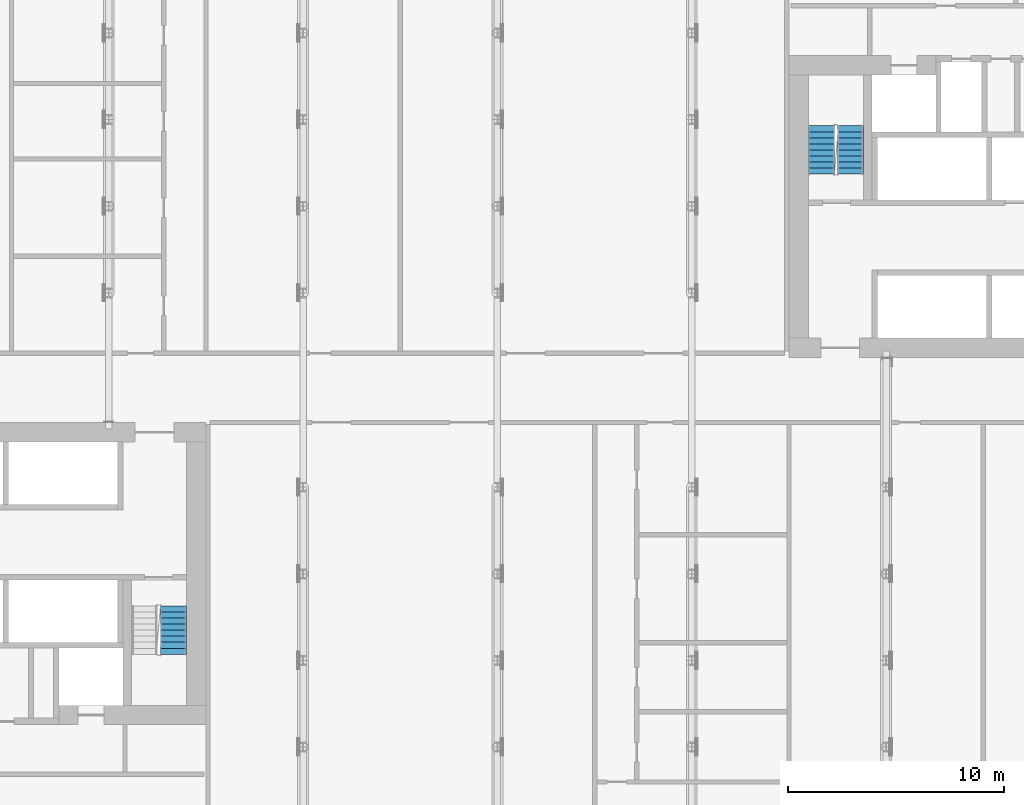
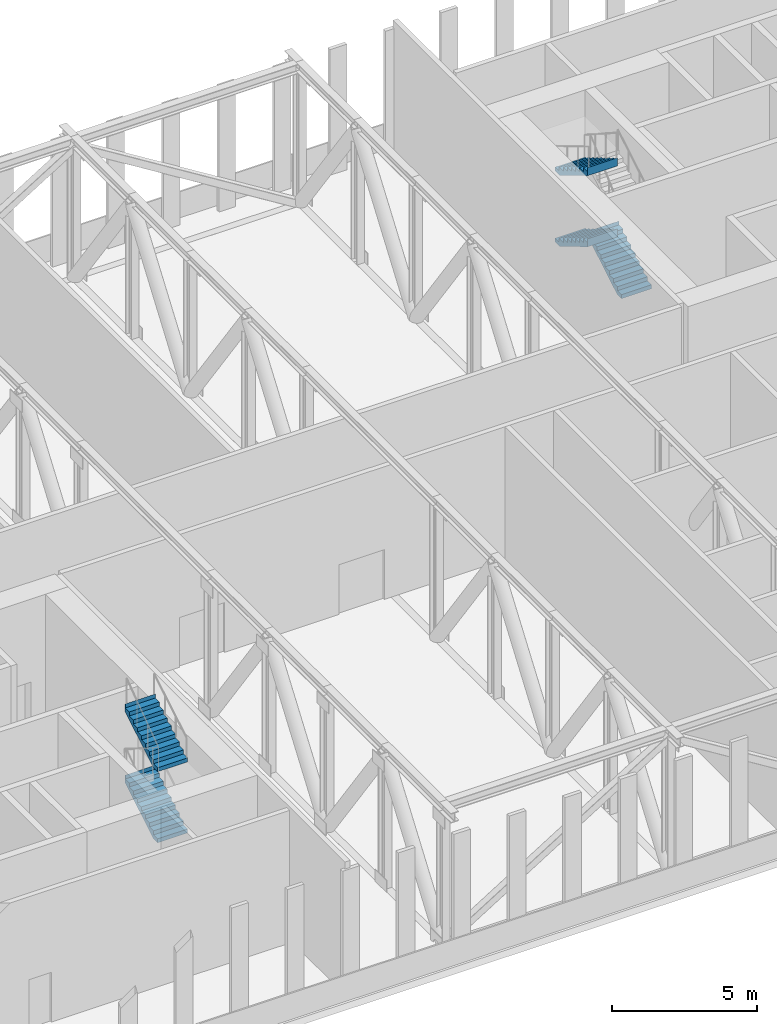
# One storey, part 21 of 26: 5 stair flights, 2 elements without a shape of their own.
"""IFC4 building model written with IfcOpenShell, lengths in metres."""

from ifc_helpers import new_model, si_unit, direction, frame, origin, place, context, subcontext, project, spatial, faceted_brep, material, type_object, element, aggregate, save


model = new_model("IFC4")

# Units and contexts
model_context = context("Model", 3, precision=1e-05, world=origin(), true_north=direction((0.0, 1.0)))
body_context = subcontext(model_context, "Body", "Model", "MODEL_VIEW")
ifc_project = project(units=[si_unit("LENGTHUNIT", "METRE"), si_unit("AREAUNIT", "SQUARE_METRE"), si_unit("VOLUMEUNIT", "CUBIC_METRE"), si_unit("PLANEANGLEUNIT", "RADIAN"), si_unit("MASSUNIT", "GRAM", prefix="KILO")], contexts=[model_context])

# Site, building, storey
site_placement = place(None, origin())
site = spatial("IfcSite", under=ifc_project, at=site_placement, CompositionType="ELEMENT")
building_placement = place(site_placement, origin())
building = spatial("IfcBuilding", under=site, at=building_placement, Name="Kajstack Hotel Tower", CompositionType="ELEMENT")
storey_placement = place(building_placement, frame((0.0, 0.0, 47.0)))
storey = spatial("IfcBuildingStorey", under=building, at=storey_placement, Name="L07", CompositionType="ELEMENT", Elevation=47.0)

# Stair, stair flights
ifc_material = material(Name="Concrete C40/50", Category="concrete")
stair_type = type_object("IfcStairType", Name="Exit stair 1200", PredefinedType="HALF_TURN_STAIR", material=ifc_material)
stair_1_placement = place(storey_placement, origin())
stair_1 = element("IfcStair", 1, at=stair_1_placement, inside=storey, type_object=stair_type, Name="L07 stair W2", PredefinedType="HALF_TURN_STAIR")
stair_flight_type = type_object("IfcStairFlightType", Name="Exit stair flight 1200", PredefinedType="STRAIGHT", material=ifc_material)
stair_flight_1_placement = place(storey_placement, frame((-15.0, -12.239990234375, 1.5), z_axis=(0.0, 0.0, 1.0), x_axis=(0.0, 1.0, 0.0)))
stair_flight_1 = element("IfcStairFlight", 2, at=stair_flight_1_placement, type_object=stair_flight_type, Name="W2 flight 2", NumberOfRisers=9, NumberOfTreads=8, PredefinedType="STRAIGHT", RiserHeight=0.166666667, TreadLength=0.28, context=body_context, shape_type="Brep", body=[
    faceted_brep([(0.29345703125, -0.60009765625, 0.0), (2.240478515625, -0.60009765625, 1.158935546875), (2.240478515625, -0.60009765625, 1.5), (2.239990234375, -0.60009765625, 1.5), (2.239990234375, -0.60009765625, 1.333251953125), (1.9599609375, -0.60009765625, 1.333251953125), (1.9599609375, -0.60009765625, 1.166748046875), (1.679931640625, -0.60009765625, 1.166748046875), (1.679931640625, -0.60009765625, 1.0), (1.39990234375, -0.60009765625, 1.0), (1.39990234375, -0.60009765625, 0.833251953125), (1.1201171875, -0.60009765625, 0.833251953125), (1.1201171875, -0.60009765625, 0.666748046875), (0.840087890625, -0.60009765625, 0.666748046875), (0.840087890625, -0.60009765625, 0.5), (0.56005859375, -0.60009765625, 0.5), (0.56005859375, -0.60009765625, 0.333251953125), (0.280029296875, -0.60009765625, 0.333251953125), (0.280029296875, -0.60009765625, 0.166748046875), (-0.00048828125, -0.60009765625, 0.166748046875), (-0.00048828125, -0.60009765625, 0.0), (-0.00048828125, 0.60009765625, 0.0), (-0.00048828125, 0.60009765625, 0.166748046875), (0.280029296875, 0.60009765625, 0.166748046875), (0.280029296875, 0.60009765625, 0.333251953125), (0.56005859375, 0.60009765625, 0.333251953125), (0.56005859375, 0.60009765625, 0.5), (0.840087890625, 0.60009765625, 0.5), (0.840087890625, 0.60009765625, 0.666748046875), (1.1201171875, 0.60009765625, 0.666748046875), (1.1201171875, 0.60009765625, 0.833251953125), (1.39990234375, 0.60009765625, 0.833251953125), (1.39990234375, 0.60009765625, 1.0), (1.679931640625, 0.60009765625, 1.0), (1.679931640625, 0.60009765625, 1.166748046875), (1.9599609375, 0.60009765625, 1.166748046875), (1.9599609375, 0.60009765625, 1.333251953125), (2.239990234375, 0.60009765625, 1.333251953125), (2.239990234375, 0.60009765625, 1.5), (2.240478515625, 0.60009765625, 1.5), (2.240478515625, 0.60009765625, 1.158935546875), (0.29345703125, 0.60009765625, 0.0), (-0.00048828125, -0.300048828125, 0.166748046875), (-0.00048828125, 0.0, 0.166748046875), (-0.00048828125, 0.300048828125, 0.166748046875), (-0.00048828125, 0.300048828125, 0.0), (-0.00048828125, 0.0, 0.0), (-0.00048828125, -0.300048828125, 0.0), (0.280029296875, -0.300048828125, 0.166748046875), (0.280029296875, 0.0, 0.166748046875), (0.280029296875, 0.300048828125, 0.166748046875), (0.280029296875, -0.300048828125, 0.333251953125), (0.280029296875, 0.0, 0.333251953125), (0.280029296875, 0.300048828125, 0.333251953125), (0.56005859375, -0.300048828125, 0.333251953125), (0.56005859375, 0.0, 0.333251953125), (0.56005859375, 0.300048828125, 0.333251953125), (0.56005859375, -0.300048828125, 0.5), (0.56005859375, 0.0, 0.5), (0.56005859375, 0.300048828125, 0.5), (0.840087890625, -0.300048828125, 0.5), (0.840087890625, 0.0, 0.5), (0.840087890625, 0.300048828125, 0.5), (0.840087890625, -0.300048828125, 0.666748046875), (0.840087890625, 0.0, 0.666748046875), (0.840087890625, 0.300048828125, 0.666748046875), (1.1201171875, -0.300048828125, 0.666748046875), (1.1201171875, 0.0, 0.666748046875), (1.1201171875, 0.300048828125, 0.666748046875), (1.1201171875, -0.300048828125, 0.833251953125), (1.1201171875, 0.0, 0.833251953125), (1.1201171875, 0.300048828125, 0.833251953125), (1.39990234375, -0.300048828125, 0.833251953125), (1.39990234375, 0.0, 0.833251953125), (1.39990234375, 0.300048828125, 0.833251953125), (1.39990234375, -0.300048828125, 1.0), (1.39990234375, 0.0, 1.0), (1.39990234375, 0.300048828125, 1.0), (1.679931640625, -0.300048828125, 1.0), (1.679931640625, 0.0, 1.0), (1.679931640625, 0.300048828125, 1.0), (1.679931640625, -0.300048828125, 1.166748046875), (1.679931640625, 0.0, 1.166748046875), (1.679931640625, 0.300048828125, 1.166748046875), (1.9599609375, -0.300048828125, 1.166748046875), (1.9599609375, 0.0, 1.166748046875), (1.9599609375, 0.300048828125, 1.166748046875), (1.9599609375, -0.300048828125, 1.333251953125), (1.9599609375, 0.0, 1.333251953125), (1.9599609375, 0.300048828125, 1.333251953125), (2.239990234375, -0.300048828125, 1.333251953125), (2.239990234375, 0.0, 1.333251953125), (2.239990234375, 0.300048828125, 1.333251953125), (2.239990234375, -0.300048828125, 1.5), (2.239990234375, 0.0, 1.5), (2.239990234375, 0.300048828125, 1.5), (2.240478515625, -0.300048828125, 1.5), (2.240478515625, 0.0, 1.5), (2.240478515625, 0.300048828125, 1.5), (2.240478515625, -0.300048828125, 1.158935546875), (2.240478515625, 0.0, 1.158935546875), (2.240478515625, 0.300048828125, 1.158935546875), (0.29345703125, -0.300048828125, 0.0), (0.29345703125, 0.0, 0.0), (0.29345703125, 0.300048828125, 0.0)], [[[0, 1, 2, 3, 4, 5, 6, 7, 8, 9, 10, 11, 12, 13, 14, 15, 16, 17, 18, 19, 20]], [[21, 22, 23, 24, 25, 26, 27, 28, 29, 30, 31, 32, 33, 34, 35, 36, 37, 38, 39, 40, 41]], [[19, 42, 43, 44, 22, 21, 45, 46, 47, 20]], [[18, 48, 49, 50, 23, 22, 44, 43, 42, 19]], [[17, 51, 52, 53, 24, 23, 50, 49, 48, 18]], [[16, 54, 55, 56, 25, 24, 53, 52, 51, 17]], [[15, 57, 58, 59, 26, 25, 56, 55, 54, 16]], [[14, 60, 61, 62, 27, 26, 59, 58, 57, 15]], [[13, 63, 64, 65, 28, 27, 62, 61, 60, 14]], [[12, 66, 67, 68, 29, 28, 65, 64, 63, 13]], [[11, 69, 70, 71, 30, 29, 68, 67, 66, 12]], [[10, 72, 73, 74, 31, 30, 71, 70, 69, 11]], [[9, 75, 76, 77, 32, 31, 74, 73, 72, 10]], [[8, 78, 79, 80, 33, 32, 77, 76, 75, 9]], [[7, 81, 82, 83, 34, 33, 80, 79, 78, 8]], [[6, 84, 85, 86, 35, 34, 83, 82, 81, 7]], [[5, 87, 88, 89, 36, 35, 86, 85, 84, 6]], [[4, 90, 91, 92, 37, 36, 89, 88, 87, 5]], [[3, 93, 94, 95, 38, 37, 92, 91, 90, 4]], [[2, 96, 97, 98, 39, 38, 95, 94, 93, 3]], [[1, 99, 100, 101, 40, 39, 98, 97, 96, 2]], [[0, 102, 103, 104, 41, 40, 101, 100, 99, 1]], [[20, 47, 46, 45, 21, 41, 104, 103, 102, 0]]]),
])
stair_flight_2_placement = place(storey_placement, frame((-15.0, -12.239990234375, 4.5), z_axis=(0.0, 0.0, 1.0), x_axis=(0.0, 1.0, 0.0)))
stair_flight_2 = element("IfcStairFlight", 3, at=stair_flight_2_placement, type_object=stair_flight_type, Name="W2 flight 4", NumberOfRisers=9, NumberOfTreads=8, PredefinedType="STRAIGHT", RiserHeight=0.166666667, TreadLength=0.28, context=body_context, shape_type="Brep", body=[
    faceted_brep([(0.29345703125, -0.60009765625, 0.0), (2.240478515625, -0.60009765625, 1.158935546875), (2.240478515625, -0.60009765625, 1.5), (2.239990234375, -0.60009765625, 1.5), (2.239990234375, -0.60009765625, 1.333251953125), (1.9599609375, -0.60009765625, 1.333251953125), (1.9599609375, -0.60009765625, 1.166748046875), (1.679931640625, -0.60009765625, 1.166748046875), (1.679931640625, -0.60009765625, 1.0), (1.39990234375, -0.60009765625, 1.0), (1.39990234375, -0.60009765625, 0.833251953125), (1.1201171875, -0.60009765625, 0.833251953125), (1.1201171875, -0.60009765625, 0.666748046875), (0.840087890625, -0.60009765625, 0.666748046875), (0.840087890625, -0.60009765625, 0.5), (0.56005859375, -0.60009765625, 0.5), (0.56005859375, -0.60009765625, 0.333251953125), (0.280029296875, -0.60009765625, 0.333251953125), (0.280029296875, -0.60009765625, 0.166748046875), (-0.00048828125, -0.60009765625, 0.166748046875), (-0.00048828125, -0.60009765625, 0.0), (-0.00048828125, 0.60009765625, 0.0), (-0.00048828125, 0.60009765625, 0.166748046875), (0.280029296875, 0.60009765625, 0.166748046875), (0.280029296875, 0.60009765625, 0.333251953125), (0.56005859375, 0.60009765625, 0.333251953125), (0.56005859375, 0.60009765625, 0.5), (0.840087890625, 0.60009765625, 0.5), (0.840087890625, 0.60009765625, 0.666748046875), (1.1201171875, 0.60009765625, 0.666748046875), (1.1201171875, 0.60009765625, 0.833251953125), (1.39990234375, 0.60009765625, 0.833251953125), (1.39990234375, 0.60009765625, 1.0), (1.679931640625, 0.60009765625, 1.0), (1.679931640625, 0.60009765625, 1.166748046875), (1.9599609375, 0.60009765625, 1.166748046875), (1.9599609375, 0.60009765625, 1.333251953125), (2.239990234375, 0.60009765625, 1.333251953125), (2.239990234375, 0.60009765625, 1.5), (2.240478515625, 0.60009765625, 1.5), (2.240478515625, 0.60009765625, 1.158935546875), (0.29345703125, 0.60009765625, 0.0), (-0.00048828125, -0.300048828125, 0.166748046875), (-0.00048828125, 0.0, 0.166748046875), (-0.00048828125, 0.300048828125, 0.166748046875), (-0.00048828125, 0.300048828125, 0.0), (-0.00048828125, 0.0, 0.0), (-0.00048828125, -0.300048828125, 0.0), (0.280029296875, -0.300048828125, 0.166748046875), (0.280029296875, 0.0, 0.166748046875), (0.280029296875, 0.300048828125, 0.166748046875), (0.280029296875, -0.300048828125, 0.333251953125), (0.280029296875, 0.0, 0.333251953125), (0.280029296875, 0.300048828125, 0.333251953125), (0.56005859375, -0.300048828125, 0.333251953125), (0.56005859375, 0.0, 0.333251953125), (0.56005859375, 0.300048828125, 0.333251953125), (0.56005859375, -0.300048828125, 0.5), (0.56005859375, 0.0, 0.5), (0.56005859375, 0.300048828125, 0.5), (0.840087890625, -0.300048828125, 0.5), (0.840087890625, 0.0, 0.5), (0.840087890625, 0.300048828125, 0.5), (0.840087890625, -0.300048828125, 0.666748046875), (0.840087890625, 0.0, 0.666748046875), (0.840087890625, 0.300048828125, 0.666748046875), (1.1201171875, -0.300048828125, 0.666748046875), (1.1201171875, 0.0, 0.666748046875), (1.1201171875, 0.300048828125, 0.666748046875), (1.1201171875, -0.300048828125, 0.833251953125), (1.1201171875, 0.0, 0.833251953125), (1.1201171875, 0.300048828125, 0.833251953125), (1.39990234375, -0.300048828125, 0.833251953125), (1.39990234375, 0.0, 0.833251953125), (1.39990234375, 0.300048828125, 0.833251953125), (1.39990234375, -0.300048828125, 1.0), (1.39990234375, 0.0, 1.0), (1.39990234375, 0.300048828125, 1.0), (1.679931640625, -0.300048828125, 1.0), (1.679931640625, 0.0, 1.0), (1.679931640625, 0.300048828125, 1.0), (1.679931640625, -0.300048828125, 1.166748046875), (1.679931640625, 0.0, 1.166748046875), (1.679931640625, 0.300048828125, 1.166748046875), (1.9599609375, -0.300048828125, 1.166748046875), (1.9599609375, 0.0, 1.166748046875), (1.9599609375, 0.300048828125, 1.166748046875), (1.9599609375, -0.300048828125, 1.333251953125), (1.9599609375, 0.0, 1.333251953125), (1.9599609375, 0.300048828125, 1.333251953125), (2.239990234375, -0.300048828125, 1.333251953125), (2.239990234375, 0.0, 1.333251953125), (2.239990234375, 0.300048828125, 1.333251953125), (2.239990234375, -0.300048828125, 1.5), (2.239990234375, 0.0, 1.5), (2.239990234375, 0.300048828125, 1.5), (2.240478515625, -0.300048828125, 1.5), (2.240478515625, 0.0, 1.5), (2.240478515625, 0.300048828125, 1.5), (2.240478515625, -0.300048828125, 1.158935546875), (2.240478515625, 0.0, 1.158935546875), (2.240478515625, 0.300048828125, 1.158935546875), (0.29345703125, -0.300048828125, 0.0), (0.29345703125, 0.0, 0.0), (0.29345703125, 0.300048828125, 0.0)], [[[0, 1, 2, 3, 4, 5, 6, 7, 8, 9, 10, 11, 12, 13, 14, 15, 16, 17, 18, 19, 20]], [[21, 22, 23, 24, 25, 26, 27, 28, 29, 30, 31, 32, 33, 34, 35, 36, 37, 38, 39, 40, 41]], [[19, 42, 43, 44, 22, 21, 45, 46, 47, 20]], [[18, 48, 49, 50, 23, 22, 44, 43, 42, 19]], [[17, 51, 52, 53, 24, 23, 50, 49, 48, 18]], [[16, 54, 55, 56, 25, 24, 53, 52, 51, 17]], [[15, 57, 58, 59, 26, 25, 56, 55, 54, 16]], [[14, 60, 61, 62, 27, 26, 59, 58, 57, 15]], [[13, 63, 64, 65, 28, 27, 62, 61, 60, 14]], [[12, 66, 67, 68, 29, 28, 65, 64, 63, 13]], [[11, 69, 70, 71, 30, 29, 68, 67, 66, 12]], [[10, 72, 73, 74, 31, 30, 71, 70, 69, 11]], [[9, 75, 76, 77, 32, 31, 74, 73, 72, 10]], [[8, 78, 79, 80, 33, 32, 77, 76, 75, 9]], [[7, 81, 82, 83, 34, 33, 80, 79, 78, 8]], [[6, 84, 85, 86, 35, 34, 83, 82, 81, 7]], [[5, 87, 88, 89, 36, 35, 86, 85, 84, 6]], [[4, 90, 91, 92, 37, 36, 89, 88, 87, 5]], [[3, 93, 94, 95, 38, 37, 92, 91, 90, 4]], [[2, 96, 97, 98, 39, 38, 95, 94, 93, 3]], [[1, 99, 100, 101, 40, 39, 98, 97, 96, 2]], [[0, 102, 103, 104, 41, 40, 101, 100, 99, 1]], [[20, 47, 46, 45, 21, 41, 104, 103, 102, 0]]]),
])
aggregate(stair_1, [stair_flight_1, stair_flight_2])

stair_2_placement = place(storey_placement, origin())
stair_2 = element("IfcStair", 4, at=stair_2_placement, inside=storey, type_object=stair_type, Name="L07 stair E2", PredefinedType="HALF_TURN_STAIR")
stair_flight_3_placement = place(storey_placement, frame((16.35009765625, 10.0, 0.0), z_axis=(0.0, 0.0, 1.0), x_axis=(0.0, 1.0, 0.0)))
stair_flight_3 = element("IfcStairFlight", 5, at=stair_flight_3_placement, type_object=stair_flight_type, Name="E2 flight 1", NumberOfRisers=9, NumberOfTreads=8, PredefinedType="STRAIGHT", RiserHeight=0.166666667, TreadLength=0.28, context=body_context, shape_type="Brep", body=[
    faceted_brep([(0.29345703125, -0.60009765625, 0.0), (2.240478515625, -0.60009765625, 1.158935546875), (2.240478515625, -0.60009765625, 1.5), (2.239990234375, -0.60009765625, 1.5), (2.239990234375, -0.60009765625, 1.333251953125), (1.9599609375, -0.60009765625, 1.333251953125), (1.9599609375, -0.60009765625, 1.166748046875), (1.679931640625, -0.60009765625, 1.166748046875), (1.679931640625, -0.60009765625, 1.0), (1.39990234375, -0.60009765625, 1.0), (1.39990234375, -0.60009765625, 0.833251953125), (1.1201171875, -0.60009765625, 0.833251953125), (1.1201171875, -0.60009765625, 0.666748046875), (0.840087890625, -0.60009765625, 0.666748046875), (0.840087890625, -0.60009765625, 0.5), (0.56005859375, -0.60009765625, 0.5), (0.56005859375, -0.60009765625, 0.333251953125), (0.280029296875, -0.60009765625, 0.333251953125), (0.280029296875, -0.60009765625, 0.166748046875), (-0.00048828125, -0.60009765625, 0.166748046875), (-0.00048828125, -0.60009765625, 0.0), (-0.00048828125, 0.60009765625, 0.0), (-0.00048828125, 0.60009765625, 0.166748046875), (0.280029296875, 0.60009765625, 0.166748046875), (0.280029296875, 0.60009765625, 0.333251953125), (0.56005859375, 0.60009765625, 0.333251953125), (0.56005859375, 0.60009765625, 0.5), (0.840087890625, 0.60009765625, 0.5), (0.840087890625, 0.60009765625, 0.666748046875), (1.1201171875, 0.60009765625, 0.666748046875), (1.1201171875, 0.60009765625, 0.833251953125), (1.39990234375, 0.60009765625, 0.833251953125), (1.39990234375, 0.60009765625, 1.0), (1.679931640625, 0.60009765625, 1.0), (1.679931640625, 0.60009765625, 1.166748046875), (1.9599609375, 0.60009765625, 1.166748046875), (1.9599609375, 0.60009765625, 1.333251953125), (2.239990234375, 0.60009765625, 1.333251953125), (2.239990234375, 0.60009765625, 1.5), (2.240478515625, 0.60009765625, 1.5), (2.240478515625, 0.60009765625, 1.158935546875), (0.29345703125, 0.60009765625, 0.0), (-0.00048828125, -0.300048828125, 0.166748046875), (-0.00048828125, 0.0, 0.166748046875), (-0.00048828125, 0.300048828125, 0.166748046875), (-0.00048828125, 0.300048828125, 0.0), (-0.00048828125, 0.0, 0.0), (-0.00048828125, -0.300048828125, 0.0), (0.280029296875, -0.300048828125, 0.166748046875), (0.280029296875, 0.0, 0.166748046875), (0.280029296875, 0.300048828125, 0.166748046875), (0.280029296875, -0.300048828125, 0.333251953125), (0.280029296875, 0.0, 0.333251953125), (0.280029296875, 0.300048828125, 0.333251953125), (0.56005859375, -0.300048828125, 0.333251953125), (0.56005859375, 0.0, 0.333251953125), (0.56005859375, 0.300048828125, 0.333251953125), (0.56005859375, -0.300048828125, 0.5), (0.56005859375, 0.0, 0.5), (0.56005859375, 0.300048828125, 0.5), (0.840087890625, -0.300048828125, 0.5), (0.840087890625, 0.0, 0.5), (0.840087890625, 0.300048828125, 0.5), (0.840087890625, -0.300048828125, 0.666748046875), (0.840087890625, 0.0, 0.666748046875), (0.840087890625, 0.300048828125, 0.666748046875), (1.1201171875, -0.300048828125, 0.666748046875), (1.1201171875, 0.0, 0.666748046875), (1.1201171875, 0.300048828125, 0.666748046875), (1.1201171875, -0.300048828125, 0.833251953125), (1.1201171875, 0.0, 0.833251953125), (1.1201171875, 0.300048828125, 0.833251953125), (1.39990234375, -0.300048828125, 0.833251953125), (1.39990234375, 0.0, 0.833251953125), (1.39990234375, 0.300048828125, 0.833251953125), (1.39990234375, -0.300048828125, 1.0), (1.39990234375, 0.0, 1.0), (1.39990234375, 0.300048828125, 1.0), (1.679931640625, -0.300048828125, 1.0), (1.679931640625, 0.0, 1.0), (1.679931640625, 0.300048828125, 1.0), (1.679931640625, -0.300048828125, 1.166748046875), (1.679931640625, 0.0, 1.166748046875), (1.679931640625, 0.300048828125, 1.166748046875), (1.9599609375, -0.300048828125, 1.166748046875), (1.9599609375, 0.0, 1.166748046875), (1.9599609375, 0.300048828125, 1.166748046875), (1.9599609375, -0.300048828125, 1.333251953125), (1.9599609375, 0.0, 1.333251953125), (1.9599609375, 0.300048828125, 1.333251953125), (2.239990234375, -0.300048828125, 1.333251953125), (2.239990234375, 0.0, 1.333251953125), (2.239990234375, 0.300048828125, 1.333251953125), (2.239990234375, -0.300048828125, 1.5), (2.239990234375, 0.0, 1.5), (2.239990234375, 0.300048828125, 1.5), (2.240478515625, -0.300048828125, 1.5), (2.240478515625, 0.0, 1.5), (2.240478515625, 0.300048828125, 1.5), (2.240478515625, -0.300048828125, 1.158935546875), (2.240478515625, 0.0, 1.158935546875), (2.240478515625, 0.300048828125, 1.158935546875), (0.29345703125, -0.300048828125, 0.0), (0.29345703125, 0.0, 0.0), (0.29345703125, 0.300048828125, 0.0)], [[[0, 1, 2, 3, 4, 5, 6, 7, 8, 9, 10, 11, 12, 13, 14, 15, 16, 17, 18, 19, 20]], [[21, 22, 23, 24, 25, 26, 27, 28, 29, 30, 31, 32, 33, 34, 35, 36, 37, 38, 39, 40, 41]], [[19, 42, 43, 44, 22, 21, 45, 46, 47, 20]], [[18, 48, 49, 50, 23, 22, 44, 43, 42, 19]], [[17, 51, 52, 53, 24, 23, 50, 49, 48, 18]], [[16, 54, 55, 56, 25, 24, 53, 52, 51, 17]], [[15, 57, 58, 59, 26, 25, 56, 55, 54, 16]], [[14, 60, 61, 62, 27, 26, 59, 58, 57, 15]], [[13, 63, 64, 65, 28, 27, 62, 61, 60, 14]], [[12, 66, 67, 68, 29, 28, 65, 64, 63, 13]], [[11, 69, 70, 71, 30, 29, 68, 67, 66, 12]], [[10, 72, 73, 74, 31, 30, 71, 70, 69, 11]], [[9, 75, 76, 77, 32, 31, 74, 73, 72, 10]], [[8, 78, 79, 80, 33, 32, 77, 76, 75, 9]], [[7, 81, 82, 83, 34, 33, 80, 79, 78, 8]], [[6, 84, 85, 86, 35, 34, 83, 82, 81, 7]], [[5, 87, 88, 89, 36, 35, 86, 85, 84, 6]], [[4, 90, 91, 92, 37, 36, 89, 88, 87, 5]], [[3, 93, 94, 95, 38, 37, 92, 91, 90, 4]], [[2, 96, 97, 98, 39, 38, 95, 94, 93, 3]], [[1, 99, 100, 101, 40, 39, 98, 97, 96, 2]], [[0, 102, 103, 104, 41, 40, 101, 100, 99, 1]], [[20, 47, 46, 45, 21, 41, 104, 103, 102, 0]]]),
])
stair_flight_4_placement = place(storey_placement, frame((15.0, 12.239990234375, 1.5), z_axis=(0.0, 0.0, 1.0), x_axis=(0.0, -1.0, 0.0)))
stair_flight_4 = element("IfcStairFlight", 6, at=stair_flight_4_placement, type_object=stair_flight_type, Name="E2 flight 2", NumberOfRisers=9, NumberOfTreads=8, PredefinedType="STRAIGHT", RiserHeight=0.166666667, TreadLength=0.28, context=body_context, shape_type="Brep", body=[
    faceted_brep([(0.29345703125, -0.60009765625, 0.0), (2.240478515625, -0.60009765625, 1.158935546875), (2.240478515625, -0.60009765625, 1.5), (2.239990234375, -0.60009765625, 1.5), (2.239990234375, -0.60009765625, 1.333251953125), (1.9599609375, -0.60009765625, 1.333251953125), (1.9599609375, -0.60009765625, 1.166748046875), (1.679931640625, -0.60009765625, 1.166748046875), (1.679931640625, -0.60009765625, 1.0), (1.39990234375, -0.60009765625, 1.0), (1.39990234375, -0.60009765625, 0.833251953125), (1.1201171875, -0.60009765625, 0.833251953125), (1.1201171875, -0.60009765625, 0.666748046875), (0.840087890625, -0.60009765625, 0.666748046875), (0.840087890625, -0.60009765625, 0.5), (0.56005859375, -0.60009765625, 0.5), (0.56005859375, -0.60009765625, 0.333251953125), (0.280029296875, -0.60009765625, 0.333251953125), (0.280029296875, -0.60009765625, 0.166748046875), (-0.00048828125, -0.60009765625, 0.166748046875), (-0.00048828125, -0.60009765625, 0.0), (-0.00048828125, 0.60009765625, 0.0), (-0.00048828125, 0.60009765625, 0.166748046875), (0.280029296875, 0.60009765625, 0.166748046875), (0.280029296875, 0.60009765625, 0.333251953125), (0.56005859375, 0.60009765625, 0.333251953125), (0.56005859375, 0.60009765625, 0.5), (0.840087890625, 0.60009765625, 0.5), (0.840087890625, 0.60009765625, 0.666748046875), (1.1201171875, 0.60009765625, 0.666748046875), (1.1201171875, 0.60009765625, 0.833251953125), (1.39990234375, 0.60009765625, 0.833251953125), (1.39990234375, 0.60009765625, 1.0), (1.679931640625, 0.60009765625, 1.0), (1.679931640625, 0.60009765625, 1.166748046875), (1.9599609375, 0.60009765625, 1.166748046875), (1.9599609375, 0.60009765625, 1.333251953125), (2.239990234375, 0.60009765625, 1.333251953125), (2.239990234375, 0.60009765625, 1.5), (2.240478515625, 0.60009765625, 1.5), (2.240478515625, 0.60009765625, 1.158935546875), (0.29345703125, 0.60009765625, 0.0), (-0.00048828125, -0.300048828125, 0.166748046875), (-0.00048828125, 0.0, 0.166748046875), (-0.00048828125, 0.300048828125, 0.166748046875), (-0.00048828125, 0.300048828125, 0.0), (-0.00048828125, 0.0, 0.0), (-0.00048828125, -0.300048828125, 0.0), (0.280029296875, -0.300048828125, 0.166748046875), (0.280029296875, 0.0, 0.166748046875), (0.280029296875, 0.300048828125, 0.166748046875), (0.280029296875, -0.300048828125, 0.333251953125), (0.280029296875, 0.0, 0.333251953125), (0.280029296875, 0.300048828125, 0.333251953125), (0.56005859375, -0.300048828125, 0.333251953125), (0.56005859375, 0.0, 0.333251953125), (0.56005859375, 0.300048828125, 0.333251953125), (0.56005859375, -0.300048828125, 0.5), (0.56005859375, 0.0, 0.5), (0.56005859375, 0.300048828125, 0.5), (0.840087890625, -0.300048828125, 0.5), (0.840087890625, 0.0, 0.5), (0.840087890625, 0.300048828125, 0.5), (0.840087890625, -0.300048828125, 0.666748046875), (0.840087890625, 0.0, 0.666748046875), (0.840087890625, 0.300048828125, 0.666748046875), (1.1201171875, -0.300048828125, 0.666748046875), (1.1201171875, 0.0, 0.666748046875), (1.1201171875, 0.300048828125, 0.666748046875), (1.1201171875, -0.300048828125, 0.833251953125), (1.1201171875, 0.0, 0.833251953125), (1.1201171875, 0.300048828125, 0.833251953125), (1.39990234375, -0.300048828125, 0.833251953125), (1.39990234375, 0.0, 0.833251953125), (1.39990234375, 0.300048828125, 0.833251953125), (1.39990234375, -0.300048828125, 1.0), (1.39990234375, 0.0, 1.0), (1.39990234375, 0.300048828125, 1.0), (1.679931640625, -0.300048828125, 1.0), (1.679931640625, 0.0, 1.0), (1.679931640625, 0.300048828125, 1.0), (1.679931640625, -0.300048828125, 1.166748046875), (1.679931640625, 0.0, 1.166748046875), (1.679931640625, 0.300048828125, 1.166748046875), (1.9599609375, -0.300048828125, 1.166748046875), (1.9599609375, 0.0, 1.166748046875), (1.9599609375, 0.300048828125, 1.166748046875), (1.9599609375, -0.300048828125, 1.333251953125), (1.9599609375, 0.0, 1.333251953125), (1.9599609375, 0.300048828125, 1.333251953125), (2.239990234375, -0.300048828125, 1.333251953125), (2.239990234375, 0.0, 1.333251953125), (2.239990234375, 0.300048828125, 1.333251953125), (2.239990234375, -0.300048828125, 1.5), (2.239990234375, 0.0, 1.5), (2.239990234375, 0.300048828125, 1.5), (2.240478515625, -0.300048828125, 1.5), (2.240478515625, 0.0, 1.5), (2.240478515625, 0.300048828125, 1.5), (2.240478515625, -0.300048828125, 1.158935546875), (2.240478515625, 0.0, 1.158935546875), (2.240478515625, 0.300048828125, 1.158935546875), (0.29345703125, -0.300048828125, 0.0), (0.29345703125, 0.0, 0.0), (0.29345703125, 0.300048828125, 0.0)], [[[0, 1, 2, 3, 4, 5, 6, 7, 8, 9, 10, 11, 12, 13, 14, 15, 16, 17, 18, 19, 20]], [[21, 22, 23, 24, 25, 26, 27, 28, 29, 30, 31, 32, 33, 34, 35, 36, 37, 38, 39, 40, 41]], [[19, 42, 43, 44, 22, 21, 45, 46, 47, 20]], [[18, 48, 49, 50, 23, 22, 44, 43, 42, 19]], [[17, 51, 52, 53, 24, 23, 50, 49, 48, 18]], [[16, 54, 55, 56, 25, 24, 53, 52, 51, 17]], [[15, 57, 58, 59, 26, 25, 56, 55, 54, 16]], [[14, 60, 61, 62, 27, 26, 59, 58, 57, 15]], [[13, 63, 64, 65, 28, 27, 62, 61, 60, 14]], [[12, 66, 67, 68, 29, 28, 65, 64, 63, 13]], [[11, 69, 70, 71, 30, 29, 68, 67, 66, 12]], [[10, 72, 73, 74, 31, 30, 71, 70, 69, 11]], [[9, 75, 76, 77, 32, 31, 74, 73, 72, 10]], [[8, 78, 79, 80, 33, 32, 77, 76, 75, 9]], [[7, 81, 82, 83, 34, 33, 80, 79, 78, 8]], [[6, 84, 85, 86, 35, 34, 83, 82, 81, 7]], [[5, 87, 88, 89, 36, 35, 86, 85, 84, 6]], [[4, 90, 91, 92, 37, 36, 89, 88, 87, 5]], [[3, 93, 94, 95, 38, 37, 92, 91, 90, 4]], [[2, 96, 97, 98, 39, 38, 95, 94, 93, 3]], [[1, 99, 100, 101, 40, 39, 98, 97, 96, 2]], [[0, 102, 103, 104, 41, 40, 101, 100, 99, 1]], [[20, 47, 46, 45, 21, 41, 104, 103, 102, 0]]]),
])
stair_flight_5_placement = place(storey_placement, frame((15.0, 12.239990234375, 4.5), z_axis=(0.0, 0.0, 1.0), x_axis=(0.0, -1.0, 0.0)))
stair_flight_5 = element("IfcStairFlight", 7, at=stair_flight_5_placement, type_object=stair_flight_type, Name="E2 flight 4", NumberOfRisers=9, NumberOfTreads=8, PredefinedType="STRAIGHT", RiserHeight=0.166666667, TreadLength=0.28, context=body_context, shape_type="Brep", body=[
    faceted_brep([(0.29345703125, -0.60009765625, 0.0), (2.240478515625, -0.60009765625, 1.158935546875), (2.240478515625, -0.60009765625, 1.5), (2.239990234375, -0.60009765625, 1.5), (2.239990234375, -0.60009765625, 1.333251953125), (1.9599609375, -0.60009765625, 1.333251953125), (1.9599609375, -0.60009765625, 1.166748046875), (1.679931640625, -0.60009765625, 1.166748046875), (1.679931640625, -0.60009765625, 1.0), (1.39990234375, -0.60009765625, 1.0), (1.39990234375, -0.60009765625, 0.833251953125), (1.1201171875, -0.60009765625, 0.833251953125), (1.1201171875, -0.60009765625, 0.666748046875), (0.840087890625, -0.60009765625, 0.666748046875), (0.840087890625, -0.60009765625, 0.5), (0.56005859375, -0.60009765625, 0.5), (0.56005859375, -0.60009765625, 0.333251953125), (0.280029296875, -0.60009765625, 0.333251953125), (0.280029296875, -0.60009765625, 0.166748046875), (-0.00048828125, -0.60009765625, 0.166748046875), (-0.00048828125, -0.60009765625, 0.0), (-0.00048828125, 0.60009765625, 0.0), (-0.00048828125, 0.60009765625, 0.166748046875), (0.280029296875, 0.60009765625, 0.166748046875), (0.280029296875, 0.60009765625, 0.333251953125), (0.56005859375, 0.60009765625, 0.333251953125), (0.56005859375, 0.60009765625, 0.5), (0.840087890625, 0.60009765625, 0.5), (0.840087890625, 0.60009765625, 0.666748046875), (1.1201171875, 0.60009765625, 0.666748046875), (1.1201171875, 0.60009765625, 0.833251953125), (1.39990234375, 0.60009765625, 0.833251953125), (1.39990234375, 0.60009765625, 1.0), (1.679931640625, 0.60009765625, 1.0), (1.679931640625, 0.60009765625, 1.166748046875), (1.9599609375, 0.60009765625, 1.166748046875), (1.9599609375, 0.60009765625, 1.333251953125), (2.239990234375, 0.60009765625, 1.333251953125), (2.239990234375, 0.60009765625, 1.5), (2.240478515625, 0.60009765625, 1.5), (2.240478515625, 0.60009765625, 1.158935546875), (0.29345703125, 0.60009765625, 0.0), (-0.00048828125, -0.300048828125, 0.166748046875), (-0.00048828125, 0.0, 0.166748046875), (-0.00048828125, 0.300048828125, 0.166748046875), (-0.00048828125, 0.300048828125, 0.0), (-0.00048828125, 0.0, 0.0), (-0.00048828125, -0.300048828125, 0.0), (0.280029296875, -0.300048828125, 0.166748046875), (0.280029296875, 0.0, 0.166748046875), (0.280029296875, 0.300048828125, 0.166748046875), (0.280029296875, -0.300048828125, 0.333251953125), (0.280029296875, 0.0, 0.333251953125), (0.280029296875, 0.300048828125, 0.333251953125), (0.56005859375, -0.300048828125, 0.333251953125), (0.56005859375, 0.0, 0.333251953125), (0.56005859375, 0.300048828125, 0.333251953125), (0.56005859375, -0.300048828125, 0.5), (0.56005859375, 0.0, 0.5), (0.56005859375, 0.300048828125, 0.5), (0.840087890625, -0.300048828125, 0.5), (0.840087890625, 0.0, 0.5), (0.840087890625, 0.300048828125, 0.5), (0.840087890625, -0.300048828125, 0.666748046875), (0.840087890625, 0.0, 0.666748046875), (0.840087890625, 0.300048828125, 0.666748046875), (1.1201171875, -0.300048828125, 0.666748046875), (1.1201171875, 0.0, 0.666748046875), (1.1201171875, 0.300048828125, 0.666748046875), (1.1201171875, -0.300048828125, 0.833251953125), (1.1201171875, 0.0, 0.833251953125), (1.1201171875, 0.300048828125, 0.833251953125), (1.39990234375, -0.300048828125, 0.833251953125), (1.39990234375, 0.0, 0.833251953125), (1.39990234375, 0.300048828125, 0.833251953125), (1.39990234375, -0.300048828125, 1.0), (1.39990234375, 0.0, 1.0), (1.39990234375, 0.300048828125, 1.0), (1.679931640625, -0.300048828125, 1.0), (1.679931640625, 0.0, 1.0), (1.679931640625, 0.300048828125, 1.0), (1.679931640625, -0.300048828125, 1.166748046875), (1.679931640625, 0.0, 1.166748046875), (1.679931640625, 0.300048828125, 1.166748046875), (1.9599609375, -0.300048828125, 1.166748046875), (1.9599609375, 0.0, 1.166748046875), (1.9599609375, 0.300048828125, 1.166748046875), (1.9599609375, -0.300048828125, 1.333251953125), (1.9599609375, 0.0, 1.333251953125), (1.9599609375, 0.300048828125, 1.333251953125), (2.239990234375, -0.300048828125, 1.333251953125), (2.239990234375, 0.0, 1.333251953125), (2.239990234375, 0.300048828125, 1.333251953125), (2.239990234375, -0.300048828125, 1.5), (2.239990234375, 0.0, 1.5), (2.239990234375, 0.300048828125, 1.5), (2.240478515625, -0.300048828125, 1.5), (2.240478515625, 0.0, 1.5), (2.240478515625, 0.300048828125, 1.5), (2.240478515625, -0.300048828125, 1.158935546875), (2.240478515625, 0.0, 1.158935546875), (2.240478515625, 0.300048828125, 1.158935546875), (0.29345703125, -0.300048828125, 0.0), (0.29345703125, 0.0, 0.0), (0.29345703125, 0.300048828125, 0.0)], [[[0, 1, 2, 3, 4, 5, 6, 7, 8, 9, 10, 11, 12, 13, 14, 15, 16, 17, 18, 19, 20]], [[21, 22, 23, 24, 25, 26, 27, 28, 29, 30, 31, 32, 33, 34, 35, 36, 37, 38, 39, 40, 41]], [[19, 42, 43, 44, 22, 21, 45, 46, 47, 20]], [[18, 48, 49, 50, 23, 22, 44, 43, 42, 19]], [[17, 51, 52, 53, 24, 23, 50, 49, 48, 18]], [[16, 54, 55, 56, 25, 24, 53, 52, 51, 17]], [[15, 57, 58, 59, 26, 25, 56, 55, 54, 16]], [[14, 60, 61, 62, 27, 26, 59, 58, 57, 15]], [[13, 63, 64, 65, 28, 27, 62, 61, 60, 14]], [[12, 66, 67, 68, 29, 28, 65, 64, 63, 13]], [[11, 69, 70, 71, 30, 29, 68, 67, 66, 12]], [[10, 72, 73, 74, 31, 30, 71, 70, 69, 11]], [[9, 75, 76, 77, 32, 31, 74, 73, 72, 10]], [[8, 78, 79, 80, 33, 32, 77, 76, 75, 9]], [[7, 81, 82, 83, 34, 33, 80, 79, 78, 8]], [[6, 84, 85, 86, 35, 34, 83, 82, 81, 7]], [[5, 87, 88, 89, 36, 35, 86, 85, 84, 6]], [[4, 90, 91, 92, 37, 36, 89, 88, 87, 5]], [[3, 93, 94, 95, 38, 37, 92, 91, 90, 4]], [[2, 96, 97, 98, 39, 38, 95, 94, 93, 3]], [[1, 99, 100, 101, 40, 39, 98, 97, 96, 2]], [[0, 102, 103, 104, 41, 40, 101, 100, 99, 1]], [[20, 47, 46, 45, 21, 41, 104, 103, 102, 0]]]),
])
aggregate(stair_2, [stair_flight_3, stair_flight_4, stair_flight_5])

save(model, "model.ifc")
